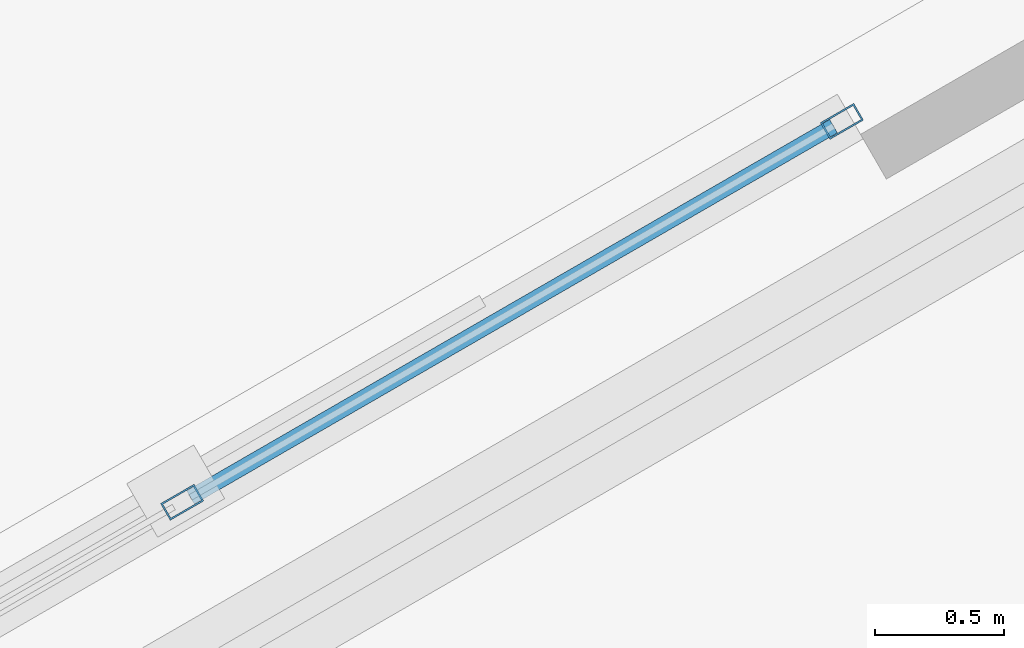
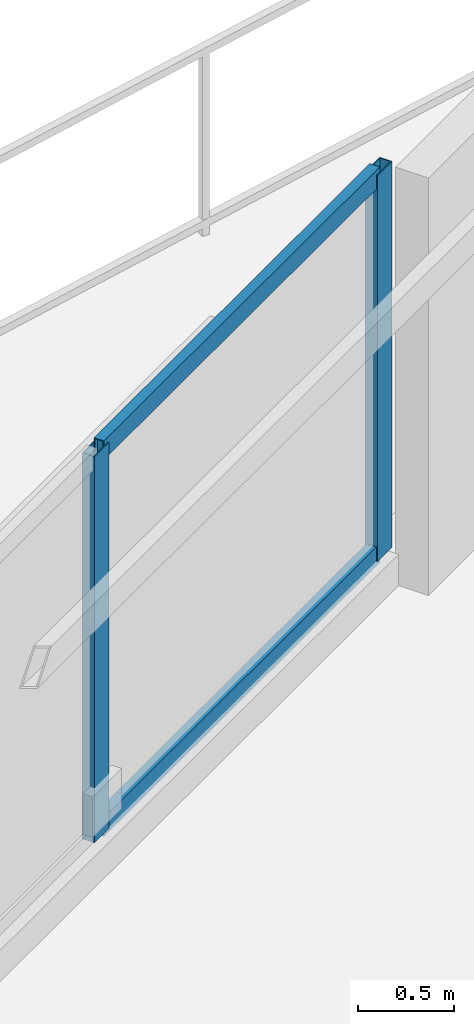
# One storey, part 9 of 19: 4 members, 1 element without a shape of its own.
"""IFC4 building model written with IfcOpenShell, lengths in metres."""

from ifc_helpers import new_model, si_unit, direction, frame, origin, origin_2d, place, context, subcontext, project, spatial, hollow_rectangle, extrude, material, layer, layer_set, material_profile, profile_set, type_object, element, aggregate, save


model = new_model("IFC4")

# Units and contexts
model_context = context("Model", 3, precision=1e-05, world=origin(), true_north=direction((0.0, 1.0)))
body_context = subcontext(model_context, "Body", "Model", "MODEL_VIEW")
ifc_project = project(units=[si_unit("LENGTHUNIT", "METRE"), si_unit("AREAUNIT", "SQUARE_METRE"), si_unit("VOLUMEUNIT", "CUBIC_METRE"), si_unit("PLANEANGLEUNIT", "RADIAN"), si_unit("MASSUNIT", "GRAM", prefix="KILO")], contexts=[model_context])

# Site, building, storey
site_placement = place(None, origin())
site = spatial("IfcSite", under=ifc_project, at=site_placement, CompositionType="ELEMENT")
building_placement = place(site_placement, origin())
building = spatial("IfcBuilding", under=site, at=building_placement, Name="Mersakhor Tower and Convention Hall", CompositionType="ELEMENT")
storey_placement = place(building_placement, frame((0.0, 0.0, 25.800048828125)))
storey = spatial("IfcBuildingStorey", under=building, at=storey_placement, Name="L06", CompositionType="ELEMENT", Elevation=25.800048828125)

# Curtain wall, members
ifc_material_1 = material(Name="Dark solar low-E aluminium curtain wall", Category="aluminium")
ifc_layer = layer(ifc_material_1, 0.159912109375)
ifc_layer_set = layer_set([ifc_layer], Name="Dark solar low-E aluminium curtain wall")
curtain_wall_type = type_object("IfcCurtainWallType", Name="CW-SYS-01", PredefinedType="USERDEFINED", material=ifc_layer_set)
curtain_wall_placement = place(storey_placement, origin())
curtain_wall = element("IfcCurtainWall", 1, at=curtain_wall_placement, inside=storey, type_object=curtain_wall_type, Name="L06 Dark-Glass Curtain Wall F1-B2", ObjectType="CURTAIN WALL", PredefinedType="USERDEFINED")
ifc_material_2 = material(Name="Anodised aluminium EN AW-6063 T6", Category="aluminium")
ifc_material_profile_1 = material_profile(ifc_material_2, hollow_rectangle(XDim=0.074951171875, YDim=0.14990234375, WallThickness=0.00634765625, at=origin_2d()), Name="RHS 150x75x6.3")
ifc_profile_set_1 = profile_set([ifc_material_profile_1], Name="Anodised aluminium EN AW-6063 T6")
member_type_1 = type_object("IfcMemberType", Name="CWM-150x75", PredefinedType="MULLION", material=ifc_profile_set_1)
member_1_placement = place(storey_placement, frame((24.167236328125, 41.107177734375, 0.199951171875), z_axis=(0.0, 0.0, 1.0), x_axis=(-0.50000344889, 0.866023412558, 0.0)))
member_1 = element("IfcMember", 2, at=member_1_placement, type_object=member_type_1, Name="CW-01 mullion 4", PredefinedType="MULLION", context=body_context, shape_type="SweptSolid", body=[
    extrude(hollow_rectangle(XDim=0.074951171875, YDim=0.14990234375, WallThickness=0.00634765625, at=origin_2d()), origin(), (0.0, 0.0, 1.0), 2.4599609375),
])
member_2_placement = place(storey_placement, frame((26.72705078125, 42.5849609375, 0.199951171875), z_axis=(0.0, 0.0, 1.0), x_axis=(-0.50000344889, 0.866023412558, 0.0)))
member_2 = element("IfcMember", 3, at=member_2_placement, type_object=member_type_1, Name="CW-01 mullion 5", PredefinedType="MULLION", context=body_context, shape_type="SweptSolid", body=[
    extrude(hollow_rectangle(XDim=0.074951171875, YDim=0.14990234375, WallThickness=0.00634765625, at=origin_2d()), origin(), (0.0, 0.0, 1.0), 2.4599609375),
])
ifc_material_3 = material(Name="Anodised aluminium EN AW-6063 T6", Category="aluminium")
ifc_material_profile_2 = material_profile(ifc_material_3, hollow_rectangle(XDim=0.06005859375, YDim=0.1201171875, WallThickness=0.0048828125, at=origin_2d()), Name="RHS 120x60x5")
ifc_profile_set_2 = profile_set([ifc_material_profile_2], Name="Anodised aluminium EN AW-6063 T6")
member_type_2 = type_object("IfcMemberType", Name="CWT-120x60", PredefinedType="USERDEFINED", material=ifc_profile_set_2)
member_3_placement = place(storey_placement, frame((24.19970703125, 41.1259765625, 0.22998046875), z_axis=(0.866023290103, 0.500003660985, 0.0), x_axis=(-0.500003660985, 0.866023290103, 0.0)))
member_3 = element("IfcMember", 4, at=member_3_placement, type_object=member_type_2, Name="CW-01 transom 4.1", ObjectType="TRANSOM", PredefinedType="USERDEFINED", context=body_context, shape_type="SweptSolid", body=[
    extrude(hollow_rectangle(XDim=0.06005859375, YDim=0.1201171875, WallThickness=0.0048828125, at=origin_2d()), origin(), (0.0, 0.0, 1.0), 2.880859375),
])
member_4_placement = place(storey_placement, frame((24.19970703125, 41.1259765625, 2.6298828125), z_axis=(0.866023290103, 0.500003660985, 0.0), x_axis=(-0.500003660985, 0.866023290103, 0.0)))
member_4 = element("IfcMember", 5, at=member_4_placement, type_object=member_type_2, Name="CW-01 transom 4.2", ObjectType="TRANSOM", PredefinedType="USERDEFINED", context=body_context, shape_type="SweptSolid", body=[
    extrude(hollow_rectangle(XDim=0.06005859375, YDim=0.1201171875, WallThickness=0.0048828125, at=origin_2d()), origin(), (0.0, 0.0, 1.0), 2.880859375),
])
aggregate(curtain_wall, [member_1, member_2, member_3, member_4])

save(model, "model.ifc")
